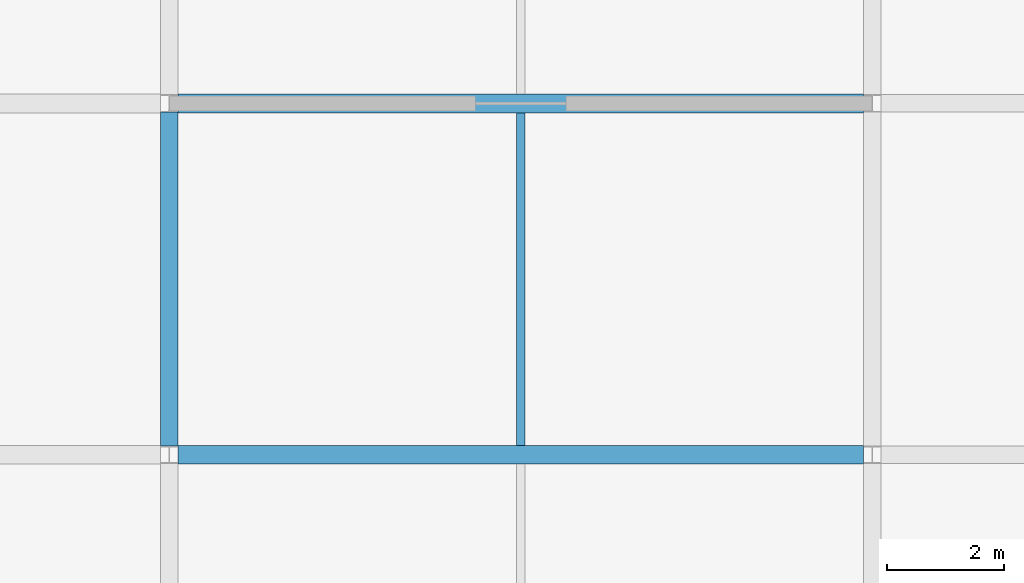
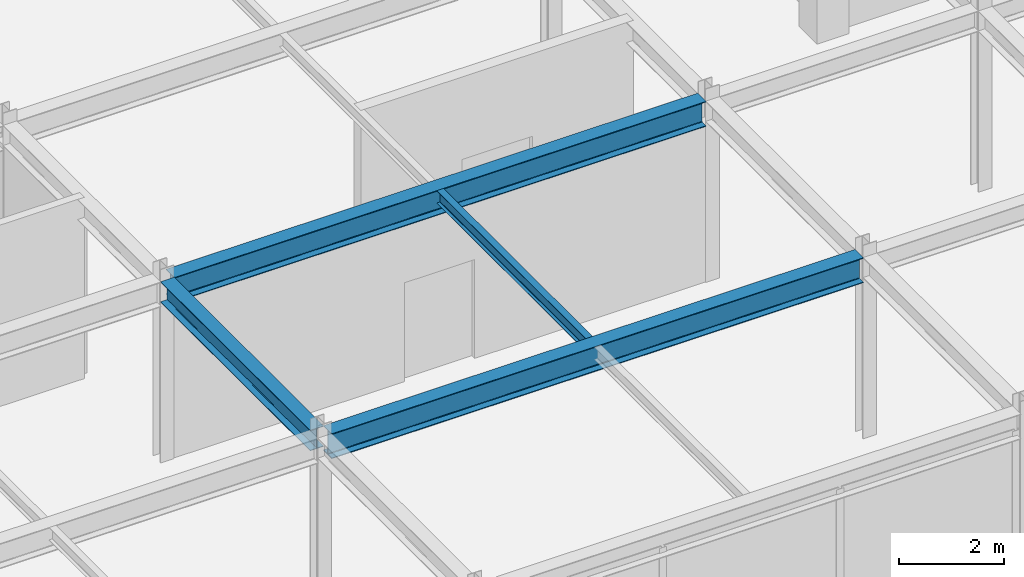
# One storey, part 90 of 108: 4 beams.
"""IFC4 building model written with IfcOpenShell, lengths in metres."""

from ifc_helpers import new_model, si_unit, direction, frame, origin, origin_2d, place, context, subcontext, project, spatial, i_section, extrude, material, material_profile, profile_set, type_object, element, save


model = new_model("IFC4")

# Units and contexts
model_context = context("Model", 3, precision=1e-05, world=origin(), true_north=direction((0.0, 1.0)))
body_context = subcontext(model_context, "Body", "Model", "MODEL_VIEW")
ifc_project = project(units=[si_unit("LENGTHUNIT", "METRE"), si_unit("AREAUNIT", "SQUARE_METRE"), si_unit("VOLUMEUNIT", "CUBIC_METRE"), si_unit("PLANEANGLEUNIT", "RADIAN"), si_unit("MASSUNIT", "GRAM", prefix="KILO")], contexts=[model_context])

# Site, building, storey
site_placement = place(None, origin())
site = spatial("IfcSite", under=ifc_project, at=site_placement, CompositionType="ELEMENT")
building_placement = place(site_placement, origin())
building = spatial("IfcBuilding", under=site, at=building_placement, Name="Zlatovratsky Civic Hall", CompositionType="ELEMENT")
storey_placement = place(building_placement, frame((0.0, 0.0, 12.0)))
storey = spatial("IfcBuildingStorey", under=building, at=storey_placement, Name="L03", CompositionType="ELEMENT", Elevation=12.0)

# Beams
ifc_material = material(Name="Steel S355", Category="steel")
ifc_material_profile_1 = material_profile(ifc_material, i_section(OverallWidth=0.300048828125, OverallDepth=0.48193359375, WebThickness=0.010986328125, FlangeThickness=0.014892578125, FilletRadius=0.02392578125, at=origin_2d()), Name="50Sh1")
ifc_profile_set_1 = profile_set([ifc_material_profile_1], Name="Steel S355")
beam_type_1 = type_object("IfcBeamType", Name="Beam_LibraryGirder_50Sh1", PredefinedType="BEAM", material=ifc_profile_set_1)
beam_1_placement = place(storey_placement, frame((132.0, 72.14794921875, 3.97900390625), z_axis=(0.0, 1.0, 0.0), x_axis=(-1.0, 0.0, 0.0)))
element("IfcBeam", 1, at=beam_1_placement, inside=storey, type_object=beam_type_1, Name="BM-3051", PredefinedType="BEAM", context=body_context, shape_type="SweptSolid", body=[
    extrude(i_section(OverallWidth=0.300048828125, OverallDepth=0.48193359375, WebThickness=0.010986328125, FlangeThickness=0.014892578125, FilletRadius=0.02392578125, at=origin_2d()), origin(), (0.0, 0.0, 1.0), 5.7041015625),
])
ifc_material_profile_2 = material_profile(ifc_material, i_section(OverallWidth=0.320068359375, OverallDepth=0.58203125, WebThickness=0.011962890625, FlangeThickness=0.01708984375, FilletRadius=0.02392578125, at=origin_2d()), Name="60Sh1")
ifc_profile_set_2 = profile_set([ifc_material_profile_2], Name="Steel S355")
beam_type_2 = type_object("IfcBeamType", Name="Beam_PodiumGirder_60Sh1", PredefinedType="BEAM", material=ifc_profile_set_2)
for number, where, z_axis, x_axis, name in (
    (2, (132.1494140625, 72.0, 3.928955078125), (1.0, 0.0, 0.0), (0.0, 1.0, 0.0), "BM-2639"),
    (3, (132.1494140625, 78.0, 3.928955078125), (1.0, 0.0, 0.0), (0.0, 1.0, 0.0), "BM-2661"),
):
    element("IfcBeam", number, at=place(storey_placement, frame(where, z_axis=z_axis, x_axis=x_axis)), inside=storey, type_object=beam_type_2, Name=name, PredefinedType="BEAM", context=body_context, shape_type="SweptSolid", body=[
        extrude(i_section(OverallWidth=0.320068359375, OverallDepth=0.58203125, WebThickness=0.011962890625, FlangeThickness=0.01708984375, FilletRadius=0.02392578125, at=origin_2d()), origin(), (0.0, 0.0, 1.0), 11.701171875),
    ])
ifc_material_profile_3 = material_profile(ifc_material, i_section(OverallWidth=0.14892578125, OverallDepth=0.2958984375, WebThickness=0.005615234375, FlangeThickness=0.008056640625, FilletRadius=0.012939453125, at=origin_2d()), Name="30B1")
ifc_profile_set_3 = profile_set([ifc_material_profile_3], Name="Steel S355")
beam_type_3 = type_object("IfcBeamType", Name="Joist_Tower_30B1", PredefinedType="JOIST", material=ifc_profile_set_3)
beam_2_placement = place(storey_placement, frame((138.0, 72.159912109375, 4.072021484375), z_axis=(0.0, 1.0, 0.0), x_axis=(-1.0, 0.0, 0.0)))
element("IfcBeam", 4, at=beam_2_placement, inside=storey, type_object=beam_type_3, Name="BM-3160", PredefinedType="JOIST", context=body_context, shape_type="SweptSolid", body=[
    extrude(i_section(OverallWidth=0.14892578125, OverallDepth=0.2958984375, WebThickness=0.005615234375, FlangeThickness=0.008056640625, FilletRadius=0.012939453125, at=origin_2d()), origin(), (0.0, 0.0, 1.0), 5.68017578125),
])

save(model, "model.ifc")
